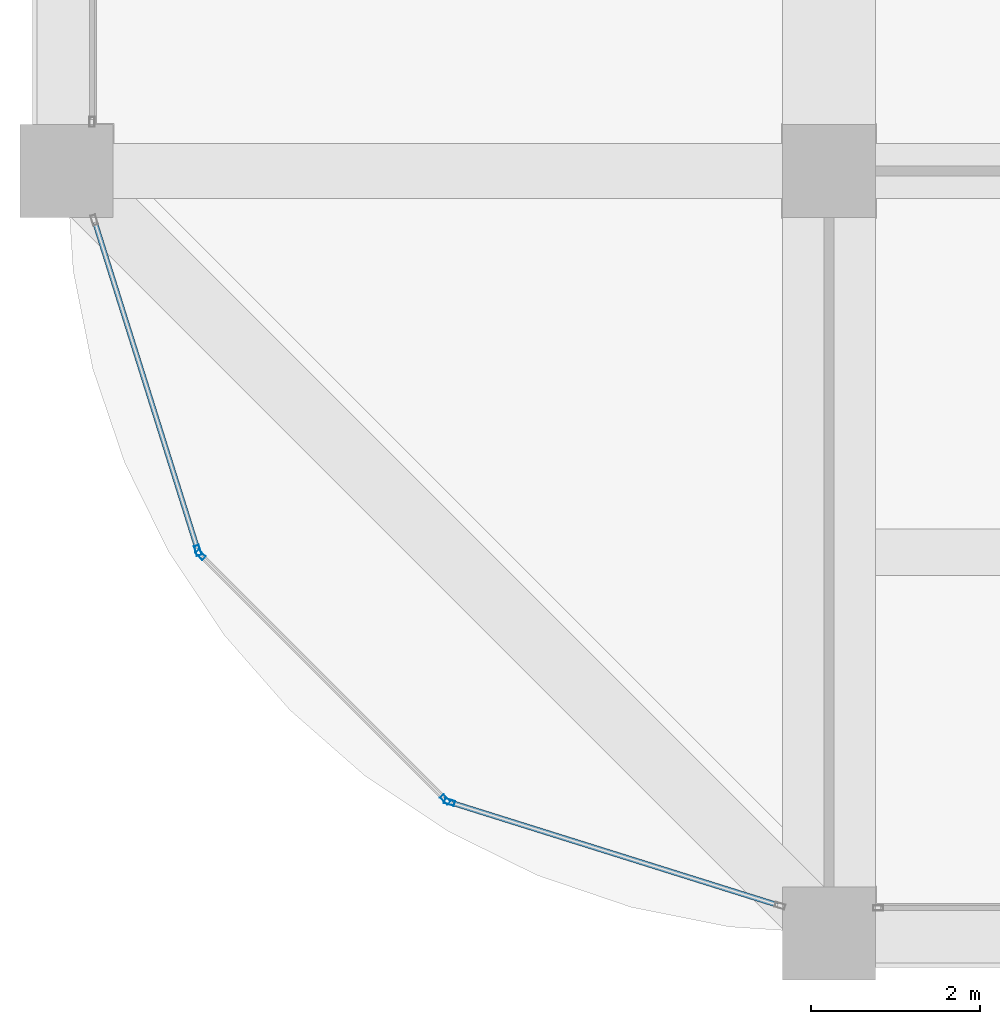
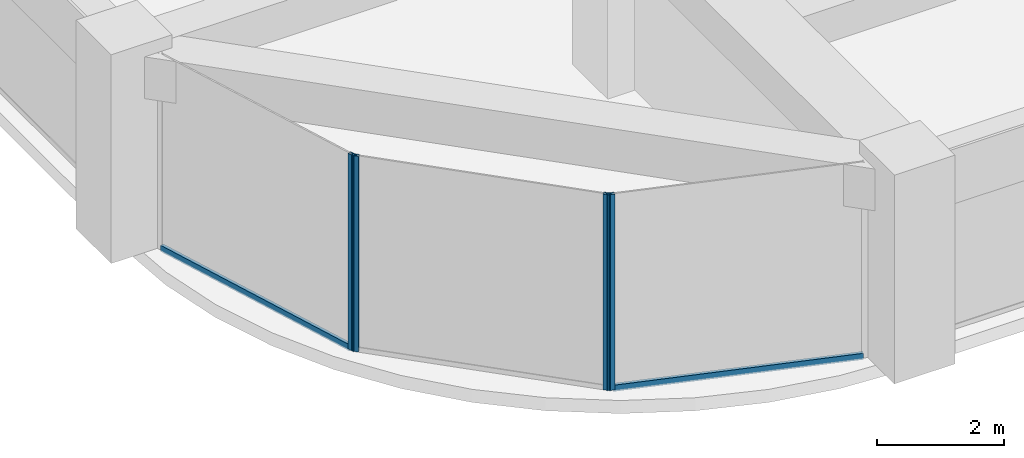
# One storey, part 2 of 45: 6 members, 3 elements without a shape of their own.
"""IFC4 building model written with IfcOpenShell, lengths in metres."""

from ifc_helpers import new_model, si_unit, direction, frame, origin, origin_2d, place, context, subcontext, project, spatial, hollow_rectangle, extrude, material, material_profile, profile_set, type_object, element, aggregate, save


model = new_model("IFC4")

# Units and contexts
model_context = context("Model", 3, precision=1e-05, world=origin(), true_north=direction((0.0, 1.0)))
body_context = subcontext(model_context, "Body", "Model", "MODEL_VIEW")
ifc_project = project(units=[si_unit("LENGTHUNIT", "METRE"), si_unit("AREAUNIT", "SQUARE_METRE"), si_unit("VOLUMEUNIT", "CUBIC_METRE"), si_unit("PLANEANGLEUNIT", "RADIAN"), si_unit("MASSUNIT", "GRAM", prefix="KILO")], contexts=[model_context])

# Site, building, storey
site_placement = place(None, origin())
site = spatial("IfcSite", under=ifc_project, at=site_placement, CompositionType="ELEMENT")
building_placement = place(site_placement, origin())
building = spatial("IfcBuilding", under=site, at=building_placement, Name="Zorevar Civic Tower", CompositionType="ELEMENT")
storey_placement = place(building_placement, frame((0.0, 0.0, 279.39990234375)))
storey = spatial("IfcBuildingStorey", under=building, at=storey_placement, Name="L68", CompositionType="ELEMENT", Elevation=279.39990234375)

# Curtain wall, member
ifc_material_1 = material(Name="Dark grey solar-control glass in black aluminium frame", Category="aluminium")
curtain_wall_type = type_object("IfcCurtainWallType", Name="Curtain wall CW5 top zone", PredefinedType="NOTDEFINED", material=ifc_material_1)
curtain_wall_1_placement = place(storey_placement, origin())
curtain_wall_1 = element("IfcCurtainWall", 1, at=curtain_wall_1_placement, inside=storey, type_object=curtain_wall_type, Name="CW5 L68", PredefinedType="NOTDEFINED")
ifc_material_2 = material(Name="Aluminium, black anodised", Category="aluminium")
ifc_material_profile_1 = material_profile(ifc_material_2, hollow_rectangle(XDim=0.06005859375, YDim=0.1201171875, WallThickness=0.0029296875, at=origin_2d()), Name="AL 120x60x3")
ifc_profile_set_1 = profile_set([ifc_material_profile_1], Name="Aluminium, black anodised")
member_type_1 = type_object("IfcMemberType", Name="CW5 mullion AL 120x60x3", PredefinedType="MULLION", material=ifc_profile_set_1)
member_1_placement = place(storey_placement, frame((10.550048828125, 4.520751953125, 0.0), z_axis=(0.0, 0.0, 1.0), x_axis=(0.954153437674, 0.299317920238, 0.0)))
member_1 = element("IfcMember", 2, at=member_1_placement, type_object=member_type_1, Name="CW5 mullion 2", PredefinedType="MULLION", context=body_context, shape_type="SweptSolid", body=[
    extrude(hollow_rectangle(XDim=0.06005859375, YDim=0.1201171875, WallThickness=0.0029296875, at=origin_2d()), origin(), (0.0, 0.0, 1.0), 3.75),
])

# Curtain wall, members
curtain_wall_2_placement = place(storey_placement, origin())
curtain_wall_2 = element("IfcCurtainWall", 3, at=curtain_wall_2_placement, inside=storey, type_object=curtain_wall_type, Name="CW5 L68", PredefinedType="NOTDEFINED")
member_2_placement = place(storey_placement, frame((10.580322265625, 4.470947265625, 0.0), z_axis=(0.0, 0.0, 1.0), x_axis=(0.707106781187, 0.707106781187, 0.0)))
member_2 = element("IfcMember", 4, at=member_2_placement, type_object=member_type_1, Name="CW5 mullion 1", PredefinedType="MULLION", context=body_context, shape_type="SweptSolid", body=[
    extrude(hollow_rectangle(XDim=0.06005859375, YDim=0.1201171875, WallThickness=0.0029296875, at=origin_2d()), origin(), (0.0, 0.0, 1.0), 3.75),
])
member_3_placement = place(storey_placement, frame((13.470947265625, 1.580322265625, 0.0), z_axis=(0.0, 0.0, 1.0), x_axis=(0.707106781187, 0.707106781187, 0.0)))
member_3 = element("IfcMember", 5, at=member_3_placement, type_object=member_type_1, Name="CW5 mullion 2", PredefinedType="MULLION", context=body_context, shape_type="SweptSolid", body=[
    extrude(hollow_rectangle(XDim=0.06005859375, YDim=0.1201171875, WallThickness=0.0029296875, at=origin_2d()), origin(), (0.0, 0.0, 1.0), 3.75),
])
aggregate(curtain_wall_2, [member_2, member_3])

# Curtain wall, member
curtain_wall_3_placement = place(storey_placement, origin())
curtain_wall_3 = element("IfcCurtainWall", 6, at=curtain_wall_3_placement, inside=storey, type_object=curtain_wall_type, Name="CW5 L68", PredefinedType="NOTDEFINED")
member_4_placement = place(storey_placement, frame((13.520751953125, 1.550048828125, 0.0), z_axis=(0.0, 0.0, 1.0), x_axis=(0.299317920238, 0.954153437674, 0.0)))
member_4 = element("IfcMember", 7, at=member_4_placement, type_object=member_type_1, Name="CW5 mullion 1", PredefinedType="MULLION", context=body_context, shape_type="SweptSolid", body=[
    extrude(hollow_rectangle(XDim=0.06005859375, YDim=0.1201171875, WallThickness=0.0029296875, at=origin_2d()), origin(), (0.0, 0.0, 1.0), 3.75),
])

# Member
ifc_material_3 = material(Name="Aluminium, black anodised", Category="aluminium")
ifc_material_profile_2 = material_profile(ifc_material_3, hollow_rectangle(XDim=0.06005859375, YDim=0.1201171875, WallThickness=0.0029296875, at=origin_2d()), Name="AL 120x60x3")
ifc_profile_set_2 = profile_set([ifc_material_profile_2], Name="Aluminium, black anodised")
member_type_2 = type_object("IfcMemberType", Name="CW5 transom AL 120x60x3", PredefinedType="USERDEFINED", material=ifc_profile_set_2)
member_5_placement = place(storey_placement, frame((9.33544921875, 8.392822265625, 0.030029296875), z_axis=(0.299285978047, -0.954163457351, 0.0), x_axis=(0.954163457351, 0.299285978047, 0.0)))
member_5 = element("IfcMember", 8, at=member_5_placement, type_object=member_type_2, Name="CW5 sill transom", ObjectType="TRANSOM", PredefinedType="USERDEFINED", context=body_context, shape_type="SweptSolid", body=[
    extrude(hollow_rectangle(XDim=0.06005859375, YDim=0.1201171875, WallThickness=0.0029296875, at=origin_2d()), origin(), (0.0, 0.0, 1.0), 4.028076171875),
])

aggregate(curtain_wall_1, [member_1, member_5])

member_6_placement = place(storey_placement, frame((13.54931640625, 1.541015625, 0.030029296875), z_axis=(0.954163457351, -0.299285978047, 0.0), x_axis=(0.299285978047, 0.954163457351, 0.0)))
member_6 = element("IfcMember", 9, at=member_6_placement, type_object=member_type_2, Name="CW5 sill transom", ObjectType="TRANSOM", PredefinedType="USERDEFINED", context=body_context, shape_type="SweptSolid", body=[
    extrude(hollow_rectangle(XDim=0.06005859375, YDim=0.1201171875, WallThickness=0.0029296875, at=origin_2d()), origin(), (0.0, 0.0, 1.0), 4.028076171875),
])

aggregate(curtain_wall_3, [member_4, member_6])

save(model, "model.ifc")
